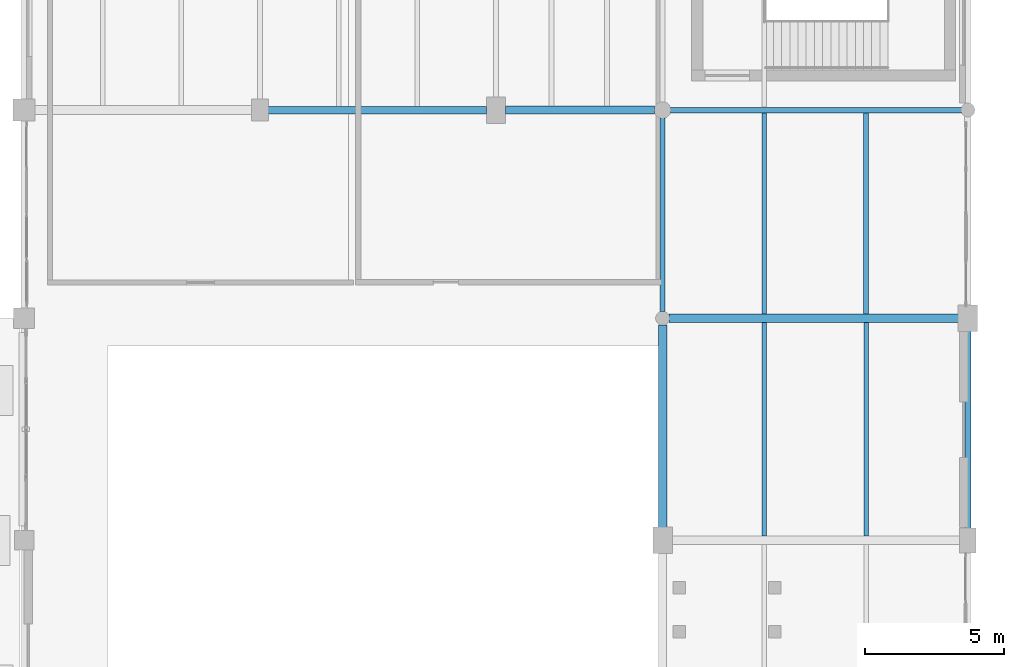
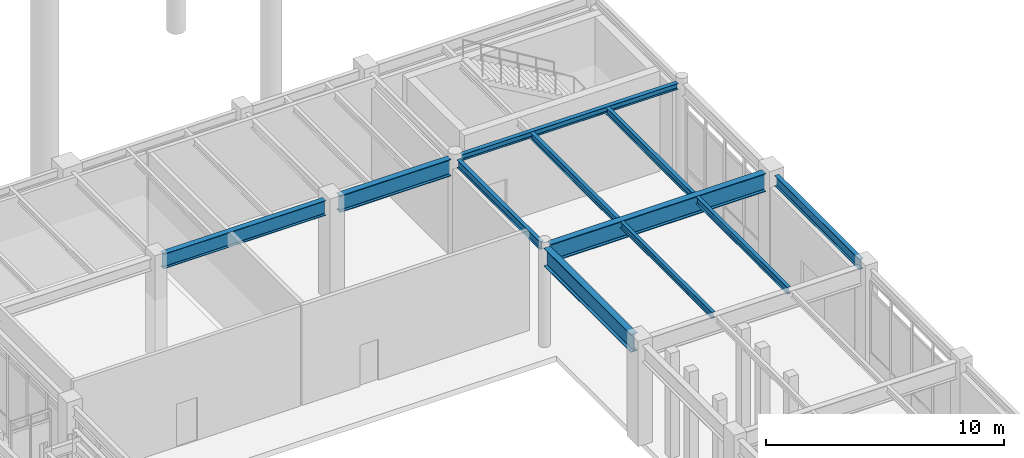
# One storey, part 119 of 203: 11 beams.
"""IFC4 building model written with IfcOpenShell, lengths in metres."""

from ifc_helpers import new_model, si_unit, direction, frame, origin, origin_2d, place, context, subcontext, project, spatial, i_section, extrude, material, material_profile, profile_set, type_object, element, save


model = new_model("IFC4")

# Units and contexts
model_context = context("Model", 3, precision=1e-05, world=origin(), true_north=direction((0.0, 1.0)))
body_context = subcontext(model_context, "Body", "Model", "MODEL_VIEW")
ifc_project = project(units=[si_unit("LENGTHUNIT", "METRE"), si_unit("AREAUNIT", "SQUARE_METRE"), si_unit("VOLUMEUNIT", "CUBIC_METRE"), si_unit("PLANEANGLEUNIT", "RADIAN"), si_unit("MASSUNIT", "GRAM", prefix="KILO"), si_unit("THERMODYNAMICTEMPERATUREUNIT", "KELVIN"), si_unit("POWERUNIT", "WATT")], contexts=[model_context])

# Site, building, storey
site_placement = place(None, origin())
site = spatial("IfcSite", under=ifc_project, at=site_placement, CompositionType="ELEMENT")
building_placement = place(site_placement, origin())
building = spatial("IfcBuilding", under=site, at=building_placement, Name="Tepalcoro Natatorium and Aquatics Centre", CompositionType="ELEMENT")
storey_placement = place(building_placement, origin())
storey = spatial("IfcBuildingStorey", under=building, at=storey_placement, Name="L00", CompositionType="ELEMENT", Elevation=0.0)

# Beams
ifc_material = material(Name="Steel ASTM A992 Grade 50 (Fy 345 MPa)", Category="steel")
ifc_material_profile_1 = material_profile(ifc_material, i_section(OverallWidth=0.202880859375, OverallDepth=0.304931640625, WebThickness=0.007080078125, FlangeThickness=0.012939453125, FilletRadius=0.013916015625, at=origin_2d()), Name="W12X40")
ifc_profile_set_1 = profile_set([ifc_material_profile_1], Name="Steel ASTM A992 Grade 50 (Fy 345 MPa)")
beam_type_1 = type_object("IfcBeamType", Name="BM_W12x40", PredefinedType="BEAM", material=ifc_profile_set_1)
beam_1_placement = place(storey_placement, frame((165.284912109375, 51.5, 4.972412109375), z_axis=(1.0, 0.0, 0.0), x_axis=(0.0, 1.0, 0.0)))
element("IfcBeam", 1, at=beam_1_placement, inside=storey, type_object=beam_type_1, Name="V2 L00 Grid Girder X", PredefinedType="BEAM", context=body_context, shape_type="SweptSolid", body=[
    extrude(i_section(OverallWidth=0.202880859375, OverallDepth=0.304931640625, WebThickness=0.007080078125, FlangeThickness=0.012939453125, FilletRadius=0.013916015625, at=origin_2d()), origin(), (0.0, 0.0, 1.0), 10.47998046875),
])
ifc_material_profile_2 = material_profile(ifc_material, i_section(OverallWidth=0.177978515625, OverallDepth=0.406005859375, WebThickness=0.008056640625, FlangeThickness=0.012939453125, FilletRadius=0.013916015625, at=origin_2d()), Name="W16X40")
ifc_profile_set_2 = profile_set([ifc_material_profile_2], Name="Steel ASTM A992 Grade 50 (Fy 345 MPa)")
beam_type_2 = type_object("IfcBeamType", Name="BM_W16x40", PredefinedType="BEAM", material=ifc_profile_set_2)
beam_2_placement = place(storey_placement, frame((165.0, 44.235107421875, 4.922119140625), z_axis=(0.0, 1.0, 0.0), x_axis=(-1.0, 0.0, 0.0)))
element("IfcBeam", 2, at=beam_2_placement, inside=storey, type_object=beam_type_2, Name="V2 L00 Grid Girder Y", PredefinedType="BEAM", context=body_context, shape_type="SweptSolid", body=[
    extrude(i_section(OverallWidth=0.177978515625, OverallDepth=0.406005859375, WebThickness=0.008056640625, FlangeThickness=0.012939453125, FilletRadius=0.013916015625, at=origin_2d()), origin(), (0.0, 0.0, 1.0), 6.97998046875),
])
ifc_material_profile_3 = material_profile(ifc_material, i_section(OverallWidth=0.26708984375, OverallDepth=0.761962890625, WebThickness=0.013916015625, FlangeThickness=0.02197265625, FilletRadius=0.013916015625, at=origin_2d()), Name="W30X116")
ifc_profile_set_3 = profile_set([ifc_material_profile_3], Name="Steel ASTM A992 Grade 50 (Fy 345 MPa)")
beam_type_3 = type_object("IfcBeamType", Name="BM_W30x116", PredefinedType="BEAM", material=ifc_profile_set_3)
beam_3_placement = place(storey_placement, frame((150.784912109375, 51.5, 4.743896484375), z_axis=(1.0, 0.0, 0.0), x_axis=(0.0, 1.0, 0.0)))
element("IfcBeam", 3, at=beam_3_placement, inside=storey, type_object=beam_type_3, Name="V2 L00 Grid Girder X", PredefinedType="BEAM", context=body_context, shape_type="SweptSolid", body=[
    extrude(i_section(OverallWidth=0.26708984375, OverallDepth=0.761962890625, WebThickness=0.013916015625, FlangeThickness=0.02197265625, FilletRadius=0.013916015625, at=origin_2d()), origin(), (0.0, 0.0, 1.0), 7.880126953125),
])
ifc_material_profile_4 = material_profile(ifc_material, i_section(OverallWidth=0.2919921875, OverallDepth=0.85888671875, WebThickness=0.01708984375, FlangeThickness=0.031005859375, FilletRadius=0.013916015625, at=origin_2d()), Name="W33X169")
ifc_profile_set_4 = profile_set([ifc_material_profile_4], Name="Steel ASTM A992 Grade 50 (Fy 345 MPa)")
beam_type_4 = type_object("IfcBeamType", Name="BM_W33x169", PredefinedType="BEAM", material=ifc_profile_set_4)
beam_4_placement = place(storey_placement, frame((159.3349609375, 51.5, 4.695556640625), z_axis=(1.0, 0.0, 0.0), x_axis=(0.0, 1.0, 0.0)))
element("IfcBeam", 4, at=beam_4_placement, inside=storey, type_object=beam_type_4, Name="V2 L00 Grid Girder X", PredefinedType="BEAM", context=body_context, shape_type="SweptSolid", body=[
    extrude(i_section(OverallWidth=0.2919921875, OverallDepth=0.85888671875, WebThickness=0.01708984375, FlangeThickness=0.031005859375, FilletRadius=0.013916015625, at=origin_2d()), origin(), (0.0, 0.0, 1.0), 5.380126953125),
])
ifc_material_profile_5 = material_profile(ifc_material, i_section(OverallWidth=0.31005859375, OverallDepth=0.931884765625, WebThickness=0.02099609375, FlangeThickness=0.034912109375, FilletRadius=0.013916015625, at=origin_2d()), Name="W36X210")
ifc_profile_set_5 = profile_set([ifc_material_profile_5], Name="Steel ASTM A992 Grade 50 (Fy 345 MPa)")
beam_type_5 = type_object("IfcBeamType", Name="BM_W36x210", PredefinedType="BEAM", material=ifc_profile_set_5)
beam_5_placement = place(storey_placement, frame((165.235107421875, 44.0, 4.658935546875), z_axis=(1.0, 0.0, 0.0), x_axis=(0.0, 1.0, 0.0)))
element("IfcBeam", 5, at=beam_5_placement, inside=storey, type_object=beam_type_5, Name="V2 L00 Grid Girder X", PredefinedType="BEAM", context=body_context, shape_type="SweptSolid", body=[
    extrude(i_section(OverallWidth=0.31005859375, OverallDepth=0.931884765625, WebThickness=0.02099609375, FlangeThickness=0.034912109375, FilletRadius=0.013916015625, at=origin_2d()), origin(), (0.0, 0.0, 1.0), 10.429931640625),
])
beam_6_placement = place(storey_placement, frame((165.0, 36.4599609375, 4.658935546875), z_axis=(0.0, 1.0, 0.0), x_axis=(-1.0, 0.0, 0.0)))
element("IfcBeam", 6, at=beam_6_placement, inside=storey, type_object=beam_type_5, Name="V2 L00 Grid Girder Y", PredefinedType="BEAM", context=body_context, shape_type="SweptSolid", body=[
    extrude(i_section(OverallWidth=0.31005859375, OverallDepth=0.931884765625, WebThickness=0.02099609375, FlangeThickness=0.034912109375, FilletRadius=0.013916015625, at=origin_2d()), origin(), (0.0, 0.0, 1.0), 7.304931640625),
])
ifc_material_profile_6 = material_profile(ifc_material, i_section(OverallWidth=0.1669921875, OverallDepth=0.318115234375, WebThickness=0.008056640625, FlangeThickness=0.012939453125, FilletRadius=0.013916015625, at=origin_2d()), Name="W12X35")
ifc_profile_set_6 = profile_set([ifc_material_profile_6], Name="Steel ASTM A992 Grade 50 (Fy 345 MPa)")
beam_type_6 = type_object("IfcBeamType", Name="JS_W12x35", PredefinedType="JOIST", material=ifc_profile_set_6)
beam_7_placement = place(storey_placement, frame((168.666748046875, 36.152587890625, 4.966064453125), z_axis=(0.0, 1.0, 0.0), x_axis=(-1.0, 0.0, 0.0)))
element("IfcBeam", 7, at=beam_7_placement, inside=storey, type_object=beam_type_6, Name="V2 L00 Floor Joist", PredefinedType="JOIST", context=body_context, shape_type="SweptSolid", body=[
    extrude(i_section(OverallWidth=0.1669921875, OverallDepth=0.318115234375, WebThickness=0.008056640625, FlangeThickness=0.012939453125, FilletRadius=0.013916015625, at=origin_2d()), origin(), (0.0, 0.0, 1.0), 7.6923828125),
])
ifc_material_profile_7 = material_profile(ifc_material, i_section(OverallWidth=0.1708984375, OverallDepth=0.35107421875, WebThickness=0.007080078125, FlangeThickness=0.010009765625, FilletRadius=0.013916015625, at=origin_2d()), Name="W14X30")
ifc_profile_set_7 = profile_set([ifc_material_profile_7], Name="Steel ASTM A992 Grade 50 (Fy 345 MPa)")
beam_type_7 = type_object("IfcBeamType", Name="JS_W14x30", PredefinedType="JOIST", material=ifc_profile_set_7)
beam_8_placement = place(storey_placement, frame((172.333251953125, 36.152587890625, 4.949462890625), z_axis=(0.0, 1.0, 0.0), x_axis=(-1.0, 0.0, 0.0)))
element("IfcBeam", 8, at=beam_8_placement, inside=storey, type_object=beam_type_7, Name="V2 L00 Floor Joist", PredefinedType="JOIST", context=body_context, shape_type="SweptSolid", body=[
    extrude(i_section(OverallWidth=0.1708984375, OverallDepth=0.35107421875, WebThickness=0.007080078125, FlangeThickness=0.010009765625, FilletRadius=0.013916015625, at=origin_2d()), origin(), (0.0, 0.0, 1.0), 7.6923828125),
])
beam_9_placement = place(storey_placement, frame((168.666748046875, 44.155029296875, 4.949462890625), z_axis=(0.0, 1.0, 0.0), x_axis=(-1.0, 0.0, 0.0)))
element("IfcBeam", 9, at=beam_9_placement, inside=storey, type_object=beam_type_7, Name="V2 L00 Floor Joist", PredefinedType="JOIST", context=body_context, shape_type="SweptSolid", body=[
    extrude(i_section(OverallWidth=0.1708984375, OverallDepth=0.35107421875, WebThickness=0.007080078125, FlangeThickness=0.010009765625, FilletRadius=0.013916015625, at=origin_2d()), origin(), (0.0, 0.0, 1.0), 7.243408203125),
])
ifc_material_profile_8 = material_profile(ifc_material, i_section(OverallWidth=0.172119140625, OverallDepth=0.35791015625, WebThickness=0.008056640625, FlangeThickness=0.012939453125, FilletRadius=0.013916015625, at=origin_2d()), Name="W14X38")
ifc_profile_set_8 = profile_set([ifc_material_profile_8], Name="Steel ASTM A992 Grade 50 (Fy 345 MPa)")
beam_type_8 = type_object("IfcBeamType", Name="JS_W14x38", PredefinedType="JOIST", material=ifc_profile_set_8)
beam_10_placement = place(storey_placement, frame((172.333251953125, 44.155029296875, 4.946044921875), z_axis=(0.0, 1.0, 0.0), x_axis=(-1.0, 0.0, 0.0)))
element("IfcBeam", 10, at=beam_10_placement, inside=storey, type_object=beam_type_8, Name="V2 L00 Floor Joist", PredefinedType="JOIST", context=body_context, shape_type="SweptSolid", body=[
    extrude(i_section(OverallWidth=0.172119140625, OverallDepth=0.35791015625, WebThickness=0.008056640625, FlangeThickness=0.012939453125, FilletRadius=0.013916015625, at=origin_2d()), origin(), (0.0, 0.0, 1.0), 7.243408203125),
])
ifc_material_profile_9 = material_profile(ifc_material, i_section(OverallWidth=0.2099609375, OverallDepth=0.535888671875, WebThickness=0.010986328125, FlangeThickness=0.01708984375, FilletRadius=0.013916015625, at=origin_2d()), Name="W21X68")
ifc_profile_set_9 = profile_set([ifc_material_profile_9], Name="Steel ASTM A992 Grade 50 (Fy 345 MPa)")
beam_type_9 = type_object("IfcBeamType", Name="SP_W21x68", PredefinedType="SPANDREL", material=ifc_profile_set_9)
beam_11_placement = place(storey_placement, frame((176.0, 36.43505859375, 4.85693359375), z_axis=(0.0, 1.0, 0.0), x_axis=(-1.0, 0.0, 0.0)))
element("IfcBeam", 11, at=beam_11_placement, inside=storey, type_object=beam_type_9, Name="V2 L00 Grid Girder Y", PredefinedType="SPANDREL", context=body_context, shape_type="SweptSolid", body=[
    extrude(i_section(OverallWidth=0.2099609375, OverallDepth=0.535888671875, WebThickness=0.010986328125, FlangeThickness=0.01708984375, FilletRadius=0.013916015625, at=origin_2d()), origin(), (0.0, 0.0, 1.0), 7.10498046875),
])

save(model, "model.ifc")
